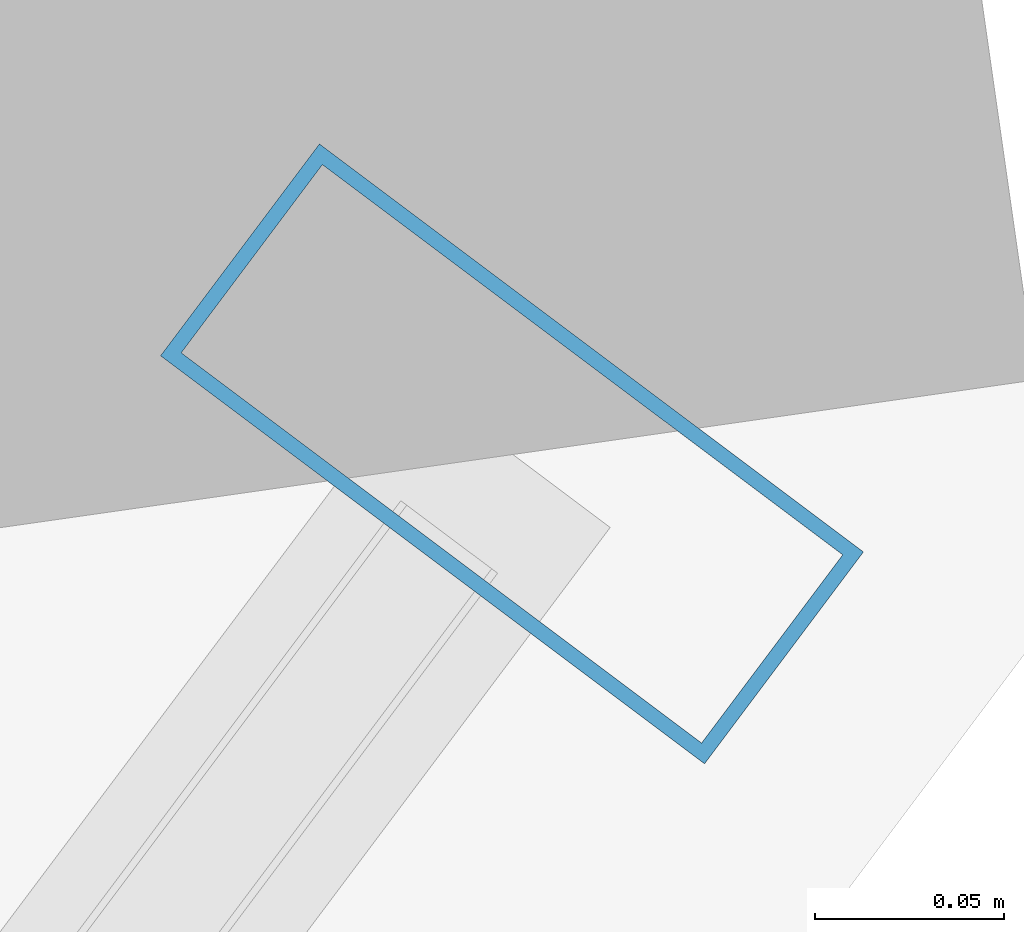
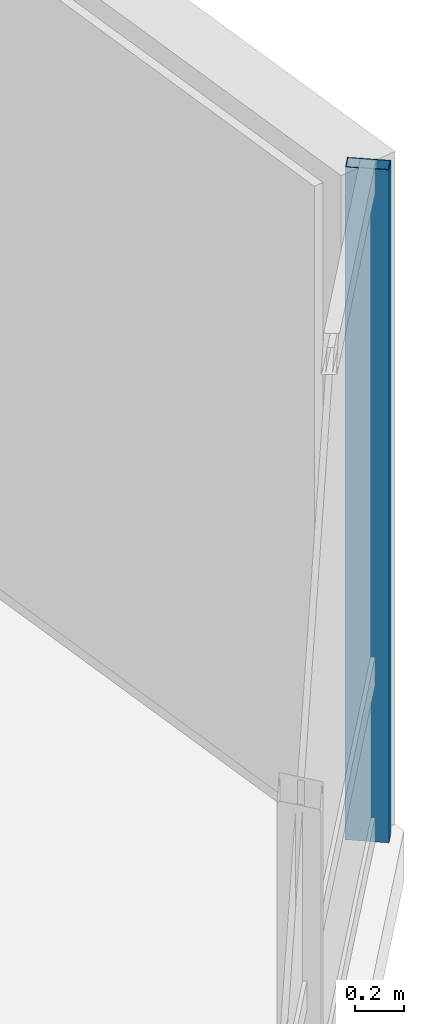
# One storey, part 12 of 29: 1 member, 1 element without a shape of its own.
"""IFC4 building model written with IfcOpenShell, lengths in metres."""

from ifc_helpers import new_model, si_unit, direction, frame, origin, origin_2d, place, context, subcontext, project, spatial, hollow_rectangle, extrude, material, layer, layer_set, material_profile, profile_set, type_object, element, aggregate, save


model = new_model("IFC4")

# Units and contexts
model_context = context("Model", 3, precision=1e-05, world=origin(), true_north=direction((0.0, 1.0)))
body_context = subcontext(model_context, "Body", "Model", "MODEL_VIEW")
ifc_project = project(units=[si_unit("LENGTHUNIT", "METRE"), si_unit("AREAUNIT", "SQUARE_METRE"), si_unit("VOLUMEUNIT", "CUBIC_METRE"), si_unit("PLANEANGLEUNIT", "RADIAN"), si_unit("MASSUNIT", "GRAM", prefix="KILO")], contexts=[model_context])

# Site, building, storey
site_placement = place(None, origin())
site = spatial("IfcSite", under=ifc_project, at=site_placement, CompositionType="ELEMENT")
building_placement = place(site_placement, origin())
building = spatial("IfcBuilding", under=site, at=building_placement, Name="Hatsunagi Terrace Concourse", CompositionType="ELEMENT")
storey_placement = place(building_placement, frame((0.0, 0.0, 104.85009765625)))
storey = spatial("IfcBuildingStorey", under=building, at=storey_placement, Name="L27", CompositionType="ELEMENT", Elevation=104.85009765625)

# Curtain wall, member
ifc_material_1 = material(Name="Anodised Aluminium Alloy 6063-T5", Category="aluminium")
ifc_layer = layer(ifc_material_1, 0.199951171875)
ifc_layer_set = layer_set([ifc_layer], Name="OfficeZone1_CW03")
curtain_wall_type = type_object("IfcCurtainWallType", Name="OfficeZone1_CW03", PredefinedType="NOTDEFINED", material=ifc_layer_set)
curtain_wall_placement = place(storey_placement, origin())
curtain_wall = element("IfcCurtainWall", 1, at=curtain_wall_placement, inside=storey, type_object=curtain_wall_type, Name="Unitised Curtain Wall CW-03 CW-L27-03", PredefinedType="NOTDEFINED")
ifc_material_2 = material(Name="Anodised Aluminium Alloy 6063-T5", Category="aluminium")
ifc_material_profile = material_profile(ifc_material_2, hollow_rectangle(XDim=0.070068359375, YDim=0.179931640625, WallThickness=0.00390625, at=origin_2d()), Name="ALU-MUL-180x70x4")
ifc_profile_set = profile_set([ifc_material_profile], Name="Anodised Aluminium Alloy 6063-T5")
member_type = type_object("IfcMemberType", Name="CurtainWallMullion_180x70", PredefinedType="MULLION", material=ifc_profile_set)
member_placement = place(storey_placement, frame((69.093017578125, 19.657958984375, 0.0), z_axis=(0.0, 0.0, 1.0), x_axis=(-0.599969314634, -0.800023013105, 0.0)))
member = element("IfcMember", 2, at=member_placement, type_object=member_type, Name="Curtain Wall Mullion MUL-02", PredefinedType="MULLION", context=body_context, shape_type="SweptSolid", body=[
    extrude(hollow_rectangle(XDim=0.070068359375, YDim=0.179931640625, WallThickness=0.00390625, at=origin_2d()), origin(), (0.0, 0.0, 1.0), 3.349853515625),
])
aggregate(curtain_wall, [member])

save(model, "model.ifc")
